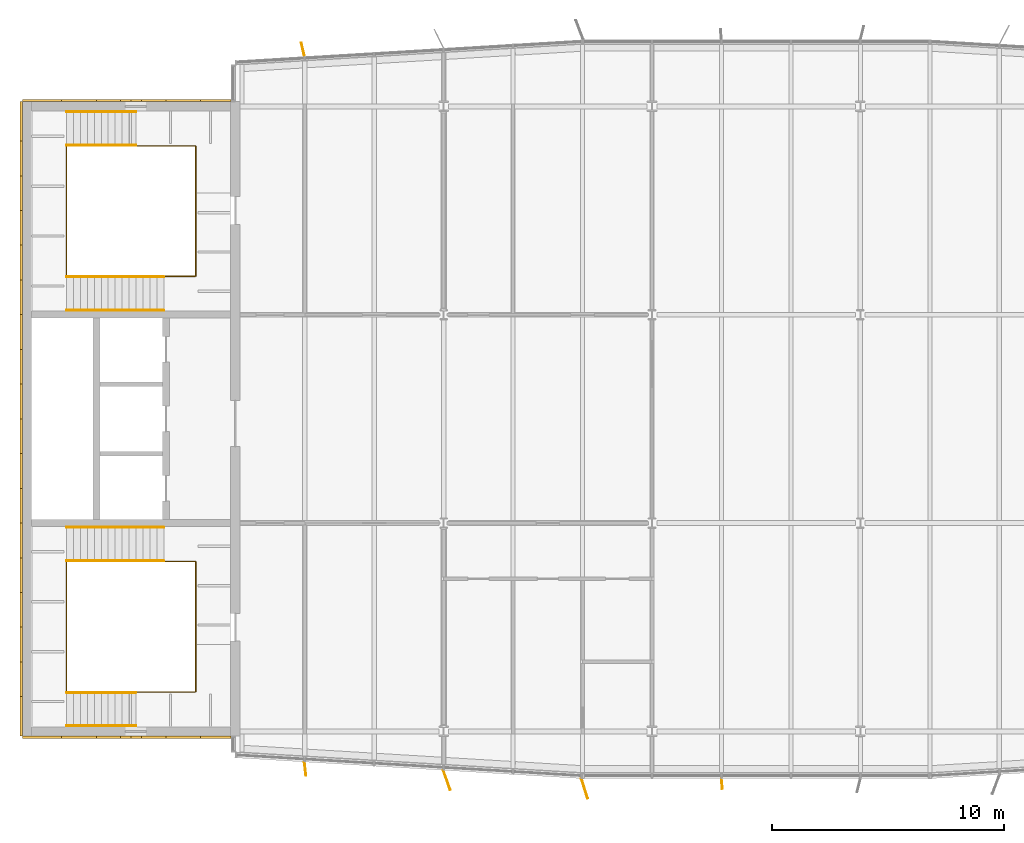
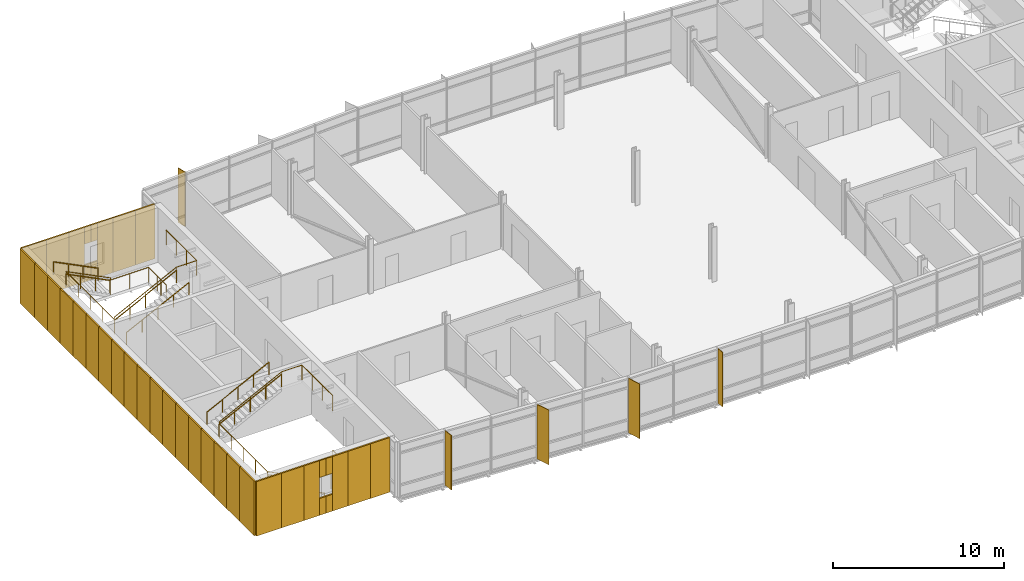
# One storey, part 18 of 20: 38 coverings, 10 railings, 5 shading devices.
"""IFC4 building model written with IfcOpenShell, lengths in metres."""

from ifc_helpers import new_model, si_unit, direction, frame, origin, origin_2d, place, context, subcontext, project, spatial, rectangle, circle, extrude, material, layer, layer_set, type_object, element, save


model = new_model("IFC4")

# Units and contexts
model_context = context("Model", 3, precision=1e-05, world=origin(), true_north=direction((0.0, 1.0)))
body_context = subcontext(model_context, "Body", "Model", "MODEL_VIEW")
ifc_project = project(units=[si_unit("LENGTHUNIT", "METRE"), si_unit("AREAUNIT", "SQUARE_METRE"), si_unit("VOLUMEUNIT", "CUBIC_METRE"), si_unit("PLANEANGLEUNIT", "RADIAN"), si_unit("MASSUNIT", "GRAM", prefix="KILO")], contexts=[model_context])

# Site, building, storey
site_placement = place(None, origin())
site = spatial("IfcSite", under=ifc_project, at=site_placement, CompositionType="ELEMENT")
building_placement = place(site_placement, origin())
building = spatial("IfcBuilding", under=site, at=building_placement, Name="Azimuth Sports and Learning Centre", CompositionType="ELEMENT")
storey_placement = place(building_placement, frame((0.0, 0.0, 44.10009765625)))
storey = spatial("IfcBuildingStorey", under=building, at=storey_placement, Name="L09", CompositionType="ELEMENT", Elevation=44.10009765625)

# Coverings
ifc_material_1 = material(Name="Cladding panel")
ifc_layer_1 = layer(ifc_material_1, 0.10009765625)
ifc_layer_set_1 = layer_set([ifc_layer_1], Name="Cladding panel")
covering_type = type_object("IfcCoveringType", Name="Cladding panel 100", PredefinedType="CLADDING", material=ifc_layer_set_1)
covering_1_placement = place(storey_placement, frame((54.64990234375, 89.75, 0.0), z_axis=(0.0, 0.0, 1.0), x_axis=(1.0, 0.0, 0.0)))
element("IfcCovering", 1, at=covering_1_placement, inside=storey, type_object=covering_type, Name="Cladding panel S-CORE W L09 1", PredefinedType="CLADDING", context=body_context, shape_type="SweptSolid", body=[
    extrude(rectangle(XDim=1.699951171875, YDim=0.10009765625, at=origin_2d()), origin(), (0.0, 0.0, 1.0), 3.89990234375),
])
covering_2_placement = place(storey_placement, frame((56.25, 89.75, 0.0), z_axis=(0.0, 0.0, 1.0), x_axis=(1.0, 0.0, 0.0)))
element("IfcCovering", 2, at=covering_2_placement, inside=storey, type_object=covering_type, Name="Cladding panel S-CORE W L09 2", PredefinedType="CLADDING", context=body_context, shape_type="SweptSolid", body=[
    extrude(rectangle(XDim=1.5, YDim=0.10009765625, at=origin_2d()), origin(), (0.0, 0.0, 1.0), 3.89990234375),
])
covering_3_placement = place(storey_placement, frame((57.52490234375, 89.75, 0.0), z_axis=(0.0, 0.0, 1.0), x_axis=(1.0, 0.0, 0.0)))
element("IfcCovering", 3, at=covering_3_placement, inside=storey, type_object=covering_type, Name="Cladding panel S-CORE W L09 3", PredefinedType="CLADDING", context=body_context, shape_type="SweptSolid", body=[
    extrude(rectangle(XDim=1.050048828125, YDim=0.10009765625, at=origin_2d()), origin(), (0.0, 0.0, 1.0), 3.89990234375),
])
for number, where, z_axis, x_axis, name in (
    (4, (58.27490234375, 89.75, 0.0), (0.0, 0.0, 1.0), (1.0, 0.0, 0.0), "Cladding panel S-CORE W L09 4"),
    (5, (58.27490234375, 89.75, 2.69970703125), (0.0, 0.0, 1.0), (1.0, 0.0, 0.0), "Cladding panel S-CORE W L09 5"),
):
    element("IfcCovering", number, at=place(storey_placement, frame(where, z_axis=z_axis, x_axis=x_axis)), inside=storey, type_object=covering_type, Name=name, PredefinedType="CLADDING", context=body_context, shape_type="SweptSolid", body=[
        extrude(rectangle(XDim=0.449951171875, YDim=0.10009765625, at=origin_2d()), origin(), (0.0, 0.0, 1.0), 1.199951171875),
    ])
covering_4_placement = place(storey_placement, frame((59.47509765625, 89.75, 0.0), z_axis=(0.0, 0.0, 1.0), x_axis=(1.0, 0.0, 0.0)))
element("IfcCovering", 6, at=covering_4_placement, inside=storey, type_object=covering_type, Name="Cladding panel S-CORE W L09 6", PredefinedType="CLADDING", context=body_context, shape_type="SweptSolid", body=[
    extrude(rectangle(XDim=1.050048828125, YDim=0.10009765625, at=origin_2d()), origin(), (0.0, 0.0, 1.0), 3.89990234375),
])
for number, where, z_axis, x_axis, name in (
    (7, (58.72509765625, 89.75, 0.0), (0.0, 0.0, 1.0), (1.0, 0.0, 0.0), "Cladding panel S-CORE W L09 7"),
    (8, (58.72509765625, 89.75, 2.69970703125), (0.0, 0.0, 1.0), (1.0, 0.0, 0.0), "Cladding panel S-CORE W L09 8"),
):
    element("IfcCovering", number, at=place(storey_placement, frame(where, z_axis=z_axis, x_axis=x_axis)), inside=storey, type_object=covering_type, Name=name, PredefinedType="CLADDING", context=body_context, shape_type="SweptSolid", body=[
        extrude(rectangle(XDim=0.449951171875, YDim=0.10009765625, at=origin_2d()), origin(), (0.0, 0.0, 1.0), 1.199951171875),
    ])
covering_5_placement = place(storey_placement, frame((60.75, 89.75, 0.0), z_axis=(0.0, 0.0, 1.0), x_axis=(1.0, 0.0, 0.0)))
element("IfcCovering", 9, at=covering_5_placement, inside=storey, type_object=covering_type, Name="Cladding panel S-CORE W L09 9", PredefinedType="CLADDING", context=body_context, shape_type="SweptSolid", body=[
    extrude(rectangle(XDim=1.5, YDim=0.10009765625, at=origin_2d()), origin(), (0.0, 0.0, 1.0), 3.89990234375),
])
for number, where, z_axis, x_axis, name in (
    (10, (62.159912109375, 89.75, 0.0), (0.0, 0.0, 1.0), (1.0, 0.0, 0.0), "Cladding panel S-CORE W L09 10"),
    (11, (62.159912109375, 117.25, 0.0), (0.0, 0.0, 1.0), (-1.0, 0.0, 0.0), "Cladding panel N-CORE W L09 1"),
):
    element("IfcCovering", number, at=place(storey_placement, frame(where, z_axis=z_axis, x_axis=x_axis)), inside=storey, type_object=covering_type, Name=name, PredefinedType="CLADDING", context=body_context, shape_type="SweptSolid", body=[
        extrude(rectangle(XDim=1.320068359375, YDim=0.10009765625, at=origin_2d()), origin(), (0.0, 0.0, 1.0), 3.89990234375),
    ])
covering_6_placement = place(storey_placement, frame((60.75, 117.25, 0.0), z_axis=(0.0, 0.0, 1.0), x_axis=(-1.0, 0.0, 0.0)))
element("IfcCovering", 12, at=covering_6_placement, inside=storey, type_object=covering_type, Name="Cladding panel N-CORE W L09 2", PredefinedType="CLADDING", context=body_context, shape_type="SweptSolid", body=[
    extrude(rectangle(XDim=1.5, YDim=0.10009765625, at=origin_2d()), origin(), (0.0, 0.0, 1.0), 3.89990234375),
])
covering_7_placement = place(storey_placement, frame((59.47509765625, 117.25, 0.0), z_axis=(0.0, 0.0, 1.0), x_axis=(-1.0, 0.0, 0.0)))
element("IfcCovering", 13, at=covering_7_placement, inside=storey, type_object=covering_type, Name="Cladding panel N-CORE W L09 3", PredefinedType="CLADDING", context=body_context, shape_type="SweptSolid", body=[
    extrude(rectangle(XDim=1.050048828125, YDim=0.10009765625, at=origin_2d()), origin(), (0.0, 0.0, 1.0), 3.89990234375),
])
for number, where, z_axis, x_axis, name in (
    (14, (58.72509765625, 117.25, 0.0), (0.0, 0.0, 1.0), (-1.0, 0.0, 0.0), "Cladding panel N-CORE W L09 4"),
    (15, (58.72509765625, 117.25, 2.69970703125), (0.0, 0.0, 1.0), (-1.0, 0.0, 0.0), "Cladding panel N-CORE W L09 5"),
):
    element("IfcCovering", number, at=place(storey_placement, frame(where, z_axis=z_axis, x_axis=x_axis)), inside=storey, type_object=covering_type, Name=name, PredefinedType="CLADDING", context=body_context, shape_type="SweptSolid", body=[
        extrude(rectangle(XDim=0.449951171875, YDim=0.10009765625, at=origin_2d()), origin(), (0.0, 0.0, 1.0), 1.199951171875),
    ])
covering_8_placement = place(storey_placement, frame((57.52490234375, 117.25, 0.0), z_axis=(0.0, 0.0, 1.0), x_axis=(-1.0, 0.0, 0.0)))
element("IfcCovering", 16, at=covering_8_placement, inside=storey, type_object=covering_type, Name="Cladding panel N-CORE W L09 6", PredefinedType="CLADDING", context=body_context, shape_type="SweptSolid", body=[
    extrude(rectangle(XDim=1.050048828125, YDim=0.10009765625, at=origin_2d()), origin(), (0.0, 0.0, 1.0), 3.89990234375),
])
for number, where, z_axis, x_axis, name in (
    (17, (58.27490234375, 117.25, 0.0), (0.0, 0.0, 1.0), (-1.0, 0.0, 0.0), "Cladding panel N-CORE W L09 7"),
    (18, (58.27490234375, 117.25, 2.69970703125), (0.0, 0.0, 1.0), (-1.0, 0.0, 0.0), "Cladding panel N-CORE W L09 8"),
):
    element("IfcCovering", number, at=place(storey_placement, frame(where, z_axis=z_axis, x_axis=x_axis)), inside=storey, type_object=covering_type, Name=name, PredefinedType="CLADDING", context=body_context, shape_type="SweptSolid", body=[
        extrude(rectangle(XDim=0.449951171875, YDim=0.10009765625, at=origin_2d()), origin(), (0.0, 0.0, 1.0), 1.199951171875),
    ])
covering_9_placement = place(storey_placement, frame((56.25, 117.25, 0.0), z_axis=(0.0, 0.0, 1.0), x_axis=(-1.0, 0.0, 0.0)))
element("IfcCovering", 19, at=covering_9_placement, inside=storey, type_object=covering_type, Name="Cladding panel N-CORE W L09 9", PredefinedType="CLADDING", context=body_context, shape_type="SweptSolid", body=[
    extrude(rectangle(XDim=1.5, YDim=0.10009765625, at=origin_2d()), origin(), (0.0, 0.0, 1.0), 3.89990234375),
])
for number, where, z_axis, x_axis, name in (
    (20, (54.64990234375, 117.25, 0.0), (0.0, 0.0, 1.0), (-1.0, 0.0, 0.0), "Cladding panel N-CORE W L09 10"),
    (21, (53.75, 116.35009765625, 0.0), (0.0, 0.0, 1.0), (0.0, -1.0, 0.0), "Cladding panel W-CORE W L09 1"),
):
    element("IfcCovering", number, at=place(storey_placement, frame(where, z_axis=z_axis, x_axis=x_axis)), inside=storey, type_object=covering_type, Name=name, PredefinedType="CLADDING", context=body_context, shape_type="SweptSolid", body=[
        extrude(rectangle(XDim=1.699951171875, YDim=0.10009765625, at=origin_2d()), origin(), (0.0, 0.0, 1.0), 3.89990234375),
    ])
for number, where, z_axis, x_axis, name in (
    (22, (53.75, 114.75, 0.0), (0.0, 0.0, 1.0), (0.0, -1.0, 0.0), "Cladding panel W-CORE W L09 2"),
    (23, (53.75, 113.25, 0.0), (0.0, 0.0, 1.0), (0.0, -1.0, 0.0), "Cladding panel W-CORE W L09 3"),
    (24, (53.75, 111.75, 0.0), (0.0, 0.0, 1.0), (0.0, -1.0, 0.0), "Cladding panel W-CORE W L09 4"),
    (25, (53.75, 110.25, 0.0), (0.0, 0.0, 1.0), (0.0, -1.0, 0.0), "Cladding panel W-CORE W L09 5"),
    (26, (53.75, 108.75, 0.0), (0.0, 0.0, 1.0), (0.0, -1.0, 0.0), "Cladding panel W-CORE W L09 6"),
    (27, (53.75, 107.25, 0.0), (0.0, 0.0, 1.0), (0.0, -1.0, 0.0), "Cladding panel W-CORE W L09 7"),
    (28, (53.75, 105.75, 0.0), (0.0, 0.0, 1.0), (0.0, -1.0, 0.0), "Cladding panel W-CORE W L09 8"),
    (29, (53.75, 104.25, 0.0), (0.0, 0.0, 1.0), (0.0, -1.0, 0.0), "Cladding panel W-CORE W L09 9"),
    (30, (53.75, 102.75, 0.0), (0.0, 0.0, 1.0), (0.0, -1.0, 0.0), "Cladding panel W-CORE W L09 10"),
    (31, (53.75, 101.25, 0.0), (0.0, 0.0, 1.0), (0.0, -1.0, 0.0), "Cladding panel W-CORE W L09 11"),
    (32, (53.75, 99.75, 0.0), (0.0, 0.0, 1.0), (0.0, -1.0, 0.0), "Cladding panel W-CORE W L09 12"),
    (33, (53.75, 98.25, 0.0), (0.0, 0.0, 1.0), (0.0, -1.0, 0.0), "Cladding panel W-CORE W L09 13"),
    (34, (53.75, 96.75, 0.0), (0.0, 0.0, 1.0), (0.0, -1.0, 0.0), "Cladding panel W-CORE W L09 14"),
    (35, (53.75, 95.25, 0.0), (0.0, 0.0, 1.0), (0.0, -1.0, 0.0), "Cladding panel W-CORE W L09 15"),
    (36, (53.75, 93.75, 0.0), (0.0, 0.0, 1.0), (0.0, -1.0, 0.0), "Cladding panel W-CORE W L09 16"),
    (37, (53.75, 92.25, 0.0), (0.0, 0.0, 1.0), (0.0, -1.0, 0.0), "Cladding panel W-CORE W L09 17"),
):
    element("IfcCovering", number, at=place(storey_placement, frame(where, z_axis=z_axis, x_axis=x_axis)), inside=storey, type_object=covering_type, Name=name, PredefinedType="CLADDING", context=body_context, shape_type="SweptSolid", body=[
        extrude(rectangle(XDim=1.5, YDim=0.10009765625, at=origin_2d()), origin(), (0.0, 0.0, 1.0), 3.89990234375),
    ])
covering_10_placement = place(storey_placement, frame((53.75, 90.64990234375, 0.0), z_axis=(0.0, 0.0, 1.0), x_axis=(0.0, -1.0, 0.0)))
element("IfcCovering", 38, at=covering_10_placement, inside=storey, type_object=covering_type, Name="Cladding panel W-CORE W L09 18", PredefinedType="CLADDING", context=body_context, shape_type="SweptSolid", body=[
    extrude(rectangle(XDim=1.699951171875, YDim=0.10009765625, at=origin_2d()), origin(), (0.0, 0.0, 1.0), 3.89990234375),
])

# Shading devices
ifc_material_2 = material(Name="Aluminium", Category="aluminium")
ifc_layer_2 = layer(ifc_material_2, 0.0400390625)
ifc_layer_set_2 = layer_set([ifc_layer_2], Name="Aluminium")
shading_device_type_1 = type_object("IfcShadingDeviceType", Name="Shading fin 450", PredefinedType="JALOUSIE", material=ifc_layer_set_2)
shading_device_placement = place(storey_placement, frame((84.01953125, 87.73583984375, 0.0), z_axis=(0.0, 0.0, 1.0), x_axis=(0.086979796274, -0.996210075757, 0.0)))
element("IfcShadingDevice", 39, at=shading_device_placement, inside=storey, type_object=shading_device_type_1, Name="Shading fin F09-004", PredefinedType="JALOUSIE", context=body_context, shape_type="SweptSolid", body=[
    extrude(rectangle(XDim=0.449951171875, YDim=0.0400390625, at=origin_2d()), origin(), (0.0, 0.0, 1.0), 3.89990234375),
])
ifc_material_3 = material(Name="Aluminium", Category="aluminium")
ifc_layer_3 = layer(ifc_material_3, 0.0400390625)
ifc_layer_set_3 = layer_set([ifc_layer_3], Name="Aluminium")
shading_device_type_2 = type_object("IfcShadingDeviceType", Name="Shading fin 600", PredefinedType="JALOUSIE", material=ifc_layer_set_3)
for number, where, z_axis, x_axis, name in (
    (40, (66.018798828125, 88.38232421875, 0.0), (0.0, 0.0, 1.0), (0.110221187796, -0.993907083062, 0.0), "Shading fin F09-001"),
    (41, (65.920654296875, 119.45166015625, 0.0), (0.0, 0.0, 1.0), (-0.228270881104, 0.973597660659, 0.0), "Shading fin F09-014"),
):
    element("IfcShadingDevice", number, at=place(storey_placement, frame(where, z_axis=z_axis, x_axis=x_axis)), inside=storey, type_object=shading_device_type_2, Name=name, PredefinedType="JALOUSIE", context=body_context, shape_type="SweptSolid", body=[
        extrude(rectangle(XDim=0.60009765625, YDim=0.0400390625, at=origin_2d()), origin(), (0.0, 0.0, 1.0), 3.89990234375),
    ])
ifc_material_4 = material(Name="Aluminium", Category="aluminium")
ifc_layer_4 = layer(ifc_material_4, 0.0400390625)
ifc_layer_set_4 = layer_set([ifc_layer_4], Name="Aluminium")
shading_device_type_3 = type_object("IfcShadingDeviceType", Name="Shading fin 900", PredefinedType="JALOUSIE", material=ifc_layer_set_4)
for number, where, z_axis, x_axis, name in (
    (42, (72.135009765625, 87.89599609375, 0.0), (0.0, 0.0, 1.0), (0.332025201964, -0.94327051542, 0.0), "Shading fin F09-002"),
    (43, (78.0849609375, 87.532958984375, 0.0), (0.0, 0.0, 1.0), (0.298224547315, -0.954495740891, 0.0), "Shading fin F09-003"),
):
    element("IfcShadingDevice", number, at=place(storey_placement, frame(where, z_axis=z_axis, x_axis=x_axis)), inside=storey, type_object=shading_device_type_3, Name=name, PredefinedType="JALOUSIE", context=body_context, shape_type="SweptSolid", body=[
        extrude(rectangle(XDim=0.89990234375, YDim=0.0400390625, at=origin_2d()), origin(), (0.0, 0.0, 1.0), 3.89990234375),
    ])

# Railings
ifc_material_5 = material(Name="Stainless steel", Category="steel")
railing_type_1 = type_object("IfcRailingType", Name="Stair guard 1100", PredefinedType="GUARDRAIL", material=ifc_material_5)
railing_1_placement = place(storey_placement, frame((61.2900390625, 93.75, 0.0)))
element("IfcRailing", 44, at=railing_1_placement, inside=storey, type_object=railing_type_1, Name="Guard W1 L09 well", PredefinedType="GUARDRAIL", context=body_context, shape_type="SweptSolid", body=[
    extrude(circle(Radius=0.02392578125, at=origin_2d()), frame((0.0, 0.0, 1.076171875), z_axis=(0.0, -1.0, 0.0), x_axis=(1.0, 0.0, 0.0)), (0.0, 0.0, 1.0), 2.0400390625),
    extrude(circle(Radius=0.02392578125, at=origin_2d()), frame((0.0, -2.0400390625, 1.076171875), z_axis=(-1.0, 0.0, 0.0), x_axis=(0.0, -1.0, 0.0)), (0.0, 0.0, 1.0), 2.580078125),
    extrude(circle(Radius=0.02392578125, at=origin_2d()), frame((-2.580078125, -2.0400390625, 1.076171875), z_axis=(0.0, 0.0, 1.0), x_axis=(1.0, 0.0, 0.0)), (0.0, 0.0, 1.0), 0.14990234375),
    extrude(circle(Radius=0.02392578125, at=origin_2d()), frame((-2.580078125, -2.0400390625, 1.22607421875), z_axis=(-0.894427191, 0.0, 0.4472135955), x_axis=(0.0, -1.0, 0.0)), (0.0, 0.0, 1.0), 3.35400390625),
    extrude(circle(Radius=0.02392578125, at=origin_2d()), frame((-5.580078125, -2.0400390625, 2.72607421875), z_axis=(0.0, 1.0, 0.0), x_axis=(-1.0, 0.0, 0.0)), (0.0, 0.0, 1.0), 5.630126953125),
    extrude(circle(Radius=0.02392578125, at=origin_2d()), frame((-5.580078125, 3.590087890625, 2.72607421875), z_axis=(0.0, 0.0, 1.0), x_axis=(1.0, 0.0, 0.0)), (0.0, 0.0, 1.0), 0.14990234375),
    extrude(circle(Radius=0.02392578125, at=origin_2d()), frame((-5.580078125, 3.590087890625, 2.8759765625), z_axis=(0.894416792377, 0.0, 0.447234392142), x_axis=(0.0, 1.0, 0.0)), (0.0, 0.0, 1.0), 4.69580078125),
    extrude(circle(Radius=0.02392578125, at=origin_2d()), frame((-1.380126953125, 3.590087890625, 4.97607421875), z_axis=(1.0, 0.0, 0.0), x_axis=(0.0, 1.0, 0.0)), (0.0, 0.0, 1.0), 1.380126953125),
    extrude(circle(Radius=0.02392578125, at=origin_2d()), frame((0.0, 3.590087890625, 4.97607421875), z_axis=(0.0, -1.0, 0.0), x_axis=(1.0, 0.0, 0.0)), (0.0, 0.0, 1.0), 3.590087890625),
    extrude(circle(Radius=0.01611328125, at=origin_2d()), origin(), (0.0, 0.0, 1.0), 1.052001953125),
    extrude(circle(Radius=0.01611328125, at=origin_2d()), frame((0.0, -1.02001953125, 0.0)), (0.0, 0.0, 1.0), 1.052001953125),
    extrude(circle(Radius=0.01611328125, at=origin_2d()), frame((0.0, -2.0400390625, 0.0)), (0.0, 0.0, 1.0), 1.052001953125),
    extrude(circle(Radius=0.01611328125, at=origin_2d()), frame((-1.2900390625, -2.0400390625, 0.0)), (0.0, 0.0, 1.0), 1.052001953125),
    extrude(circle(Radius=0.01611328125, at=origin_2d()), frame((-2.580078125, -2.0400390625, 0.0)), (0.0, 0.0, 1.0), 1.052001953125),
    extrude(circle(Radius=0.01611328125, at=origin_2d()), frame((-2.580078125, -2.0400390625, 0.14990234375)), (0.0, 0.0, 1.0), 1.052001953125),
    extrude(circle(Radius=0.01611328125, at=origin_2d()), frame((-3.580078125, -2.0400390625, 0.64990234375)), (0.0, 0.0, 1.0), 1.052001953125),
    extrude(circle(Radius=0.01611328125, at=origin_2d()), frame((-4.580078125, -2.0400390625, 1.14990234375)), (0.0, 0.0, 1.0), 1.052001953125),
    extrude(circle(Radius=0.01611328125, at=origin_2d()), frame((-5.580078125, -2.0400390625, 1.64990234375)), (0.0, 0.0, 1.0), 1.052001953125),
    extrude(circle(Radius=0.01611328125, at=origin_2d()), frame((-5.580078125, -0.632568359375, 1.64990234375)), (0.0, 0.0, 1.0), 1.052001953125),
    extrude(circle(Radius=0.01611328125, at=origin_2d()), frame((-5.580078125, 0.77490234375, 1.64990234375)), (0.0, 0.0, 1.0), 1.052001953125),
    extrude(circle(Radius=0.01611328125, at=origin_2d()), frame((-5.580078125, 2.1826171875, 1.64990234375)), (0.0, 0.0, 1.0), 1.052001953125),
    extrude(circle(Radius=0.01611328125, at=origin_2d()), frame((-5.580078125, 3.590087890625, 1.64990234375)), (0.0, 0.0, 1.0), 1.052001953125),
    extrude(circle(Radius=0.01611328125, at=origin_2d()), frame((-5.580078125, 3.590087890625, 1.7998046875)), (0.0, 0.0, 1.0), 1.052001953125),
    extrude(circle(Radius=0.01611328125, at=origin_2d()), frame((-4.530029296875, 3.590087890625, 2.32470703125)), (0.0, 0.0, 1.0), 1.052001953125),
    extrude(circle(Radius=0.01611328125, at=origin_2d()), frame((-3.47998046875, 3.590087890625, 2.849853515625)), (0.0, 0.0, 1.0), 1.052001953125),
    extrude(circle(Radius=0.01611328125, at=origin_2d()), frame((-2.43017578125, 3.590087890625, 3.375)), (0.0, 0.0, 1.0), 1.052001953125),
    extrude(circle(Radius=0.01611328125, at=origin_2d()), frame((-1.380126953125, 3.590087890625, 3.89990234375)), (0.0, 0.0, 1.0), 1.052001953125),
    extrude(circle(Radius=0.01611328125, at=origin_2d()), frame((0.0, 3.590087890625, 3.89990234375)), (0.0, 0.0, 1.0), 1.052001953125),
    extrude(circle(Radius=0.01611328125, at=origin_2d()), frame((0.0, 2.393310546875, 3.89990234375)), (0.0, 0.0, 1.0), 1.052001953125),
    extrude(circle(Radius=0.01611328125, at=origin_2d()), frame((0.0, 1.19677734375, 3.89990234375)), (0.0, 0.0, 1.0), 1.052001953125),
    extrude(circle(Radius=0.01611328125, at=origin_2d()), frame((0.0, 0.0, 3.89990234375)), (0.0, 0.0, 1.0), 1.052001953125),
])
railing_2_placement = place(storey_placement, frame((61.2900390625, 113.25, 0.0)))
element("IfcRailing", 45, at=railing_2_placement, inside=storey, type_object=railing_type_1, Name="Guard W2 L09 well", PredefinedType="GUARDRAIL", context=body_context, shape_type="SweptSolid", body=[
    extrude(circle(Radius=0.02392578125, at=origin_2d()), frame((0.0, 0.0, 1.076171875), z_axis=(0.0, 1.0, 0.0), x_axis=(-1.0, 0.0, 0.0)), (0.0, 0.0, 1.0), 2.0400390625),
    extrude(circle(Radius=0.02392578125, at=origin_2d()), frame((0.0, 2.0400390625, 1.076171875), z_axis=(-1.0, 0.0, 0.0), x_axis=(0.0, -1.0, 0.0)), (0.0, 0.0, 1.0), 2.580078125),
    extrude(circle(Radius=0.02392578125, at=origin_2d()), frame((-2.580078125, 2.0400390625, 1.076171875), z_axis=(0.0, 0.0, 1.0), x_axis=(1.0, 0.0, 0.0)), (0.0, 0.0, 1.0), 0.14990234375),
    extrude(circle(Radius=0.02392578125, at=origin_2d()), frame((-2.580078125, 2.0400390625, 1.22607421875), z_axis=(-0.894427191, 0.0, 0.4472135955), x_axis=(0.0, -1.0, 0.0)), (0.0, 0.0, 1.0), 3.35400390625),
    extrude(circle(Radius=0.02392578125, at=origin_2d()), frame((-5.580078125, 2.0400390625, 2.72607421875), z_axis=(0.0, -1.0, 0.0), x_axis=(1.0, 0.0, 0.0)), (0.0, 0.0, 1.0), 5.630126953125),
    extrude(circle(Radius=0.02392578125, at=origin_2d()), frame((-5.580078125, -3.590087890625, 2.72607421875), z_axis=(0.0, 0.0, 1.0), x_axis=(1.0, 0.0, 0.0)), (0.0, 0.0, 1.0), 0.14990234375),
    extrude(circle(Radius=0.02392578125, at=origin_2d()), frame((-5.580078125, -3.590087890625, 2.8759765625), z_axis=(0.894416792377, 0.0, 0.447234392142), x_axis=(0.0, 1.0, 0.0)), (0.0, 0.0, 1.0), 4.69580078125),
    extrude(circle(Radius=0.02392578125, at=origin_2d()), frame((-1.380126953125, -3.590087890625, 4.97607421875), z_axis=(1.0, 0.0, 0.0), x_axis=(0.0, 1.0, 0.0)), (0.0, 0.0, 1.0), 1.380126953125),
    extrude(circle(Radius=0.02392578125, at=origin_2d()), frame((0.0, -3.590087890625, 4.97607421875), z_axis=(0.0, 1.0, 0.0), x_axis=(-1.0, 0.0, 0.0)), (0.0, 0.0, 1.0), 3.590087890625),
    extrude(circle(Radius=0.01611328125, at=origin_2d()), origin(), (0.0, 0.0, 1.0), 1.052001953125),
    extrude(circle(Radius=0.01611328125, at=origin_2d()), frame((0.0, 1.02001953125, 0.0)), (0.0, 0.0, 1.0), 1.052001953125),
    extrude(circle(Radius=0.01611328125, at=origin_2d()), frame((0.0, 2.0400390625, 0.0)), (0.0, 0.0, 1.0), 1.052001953125),
    extrude(circle(Radius=0.01611328125, at=origin_2d()), frame((-1.2900390625, 2.0400390625, 0.0)), (0.0, 0.0, 1.0), 1.052001953125),
    extrude(circle(Radius=0.01611328125, at=origin_2d()), frame((-2.580078125, 2.0400390625, 0.0)), (0.0, 0.0, 1.0), 1.052001953125),
    extrude(circle(Radius=0.01611328125, at=origin_2d()), frame((-2.580078125, 2.0400390625, 0.14990234375)), (0.0, 0.0, 1.0), 1.052001953125),
    extrude(circle(Radius=0.01611328125, at=origin_2d()), frame((-3.580078125, 2.0400390625, 0.64990234375)), (0.0, 0.0, 1.0), 1.052001953125),
    extrude(circle(Radius=0.01611328125, at=origin_2d()), frame((-4.580078125, 2.0400390625, 1.14990234375)), (0.0, 0.0, 1.0), 1.052001953125),
    extrude(circle(Radius=0.01611328125, at=origin_2d()), frame((-5.580078125, 2.0400390625, 1.64990234375)), (0.0, 0.0, 1.0), 1.052001953125),
    extrude(circle(Radius=0.01611328125, at=origin_2d()), frame((-5.580078125, 0.632568359375, 1.64990234375)), (0.0, 0.0, 1.0), 1.052001953125),
    extrude(circle(Radius=0.01611328125, at=origin_2d()), frame((-5.580078125, -0.77490234375, 1.64990234375)), (0.0, 0.0, 1.0), 1.052001953125),
    extrude(circle(Radius=0.01611328125, at=origin_2d()), frame((-5.580078125, -2.1826171875, 1.64990234375)), (0.0, 0.0, 1.0), 1.052001953125),
    extrude(circle(Radius=0.01611328125, at=origin_2d()), frame((-5.580078125, -3.590087890625, 1.64990234375)), (0.0, 0.0, 1.0), 1.052001953125),
    extrude(circle(Radius=0.01611328125, at=origin_2d()), frame((-5.580078125, -3.590087890625, 1.7998046875)), (0.0, 0.0, 1.0), 1.052001953125),
    extrude(circle(Radius=0.01611328125, at=origin_2d()), frame((-4.530029296875, -3.590087890625, 2.32470703125)), (0.0, 0.0, 1.0), 1.052001953125),
    extrude(circle(Radius=0.01611328125, at=origin_2d()), frame((-3.47998046875, -3.590087890625, 2.849853515625)), (0.0, 0.0, 1.0), 1.052001953125),
    extrude(circle(Radius=0.01611328125, at=origin_2d()), frame((-2.43017578125, -3.590087890625, 3.375)), (0.0, 0.0, 1.0), 1.052001953125),
    extrude(circle(Radius=0.01611328125, at=origin_2d()), frame((-1.380126953125, -3.590087890625, 3.89990234375)), (0.0, 0.0, 1.0), 1.052001953125),
    extrude(circle(Radius=0.01611328125, at=origin_2d()), frame((0.0, -3.590087890625, 3.89990234375)), (0.0, 0.0, 1.0), 1.052001953125),
    extrude(circle(Radius=0.01611328125, at=origin_2d()), frame((0.0, -2.393310546875, 3.89990234375)), (0.0, 0.0, 1.0), 1.052001953125),
    extrude(circle(Radius=0.01611328125, at=origin_2d()), frame((0.0, -1.19677734375, 3.89990234375)), (0.0, 0.0, 1.0), 1.052001953125),
    extrude(circle(Radius=0.01611328125, at=origin_2d()), frame((0.0, 0.0, 3.89990234375)), (0.0, 0.0, 1.0), 1.052001953125),
])
ifc_material_6 = material(Name="Stainless steel", Category="steel")
railing_type_2 = type_object("IfcRailingType", Name="Stair handrail 42", PredefinedType="HANDRAIL", material=ifc_material_6)
for number, where, name in (
    (46, (58.7099609375, 91.679931640625, 0.14990234375), "Handrail W1 L09 flight 1 inner"),
    (47, (58.7099609375, 90.239990234375, 0.14990234375), "Handrail W1 L09 flight 1 outer"),
):
    element("IfcRailing", number, at=place(storey_placement, frame(where)), inside=storey, type_object=railing_type_2, Name=name, PredefinedType="HANDRAIL", context=body_context, shape_type="SweptSolid", body=[
        extrude(circle(Radius=0.02099609375, at=origin_2d()), frame((0.0, 0.0, 0.87890625), z_axis=(-0.894427191, 0.0, 0.4472135955), x_axis=(0.0, -1.0, 0.0)), (0.0, 0.0, 1.0), 3.35400390625),
        extrude(circle(Radius=0.01611328125, at=origin_2d()), origin(), (0.0, 0.0, 1.0), 0.85791015625),
        extrude(circle(Radius=0.01611328125, at=origin_2d()), frame((-1.0, 0.0, 0.5)), (0.0, 0.0, 1.0), 0.85791015625),
        extrude(circle(Radius=0.01611328125, at=origin_2d()), frame((-2.0, 0.0, 1.0)), (0.0, 0.0, 1.0), 0.85791015625),
        extrude(circle(Radius=0.01611328125, at=origin_2d()), frame((-3.0, 0.0, 1.5)), (0.0, 0.0, 1.0), 0.85791015625),
    ])
for number, where, name in (
    (48, (55.7099609375, 97.3701171875, 1.7998046875), "Handrail W1 L09 flight 2 inner"),
    (49, (55.7099609375, 98.81005859375, 1.7998046875), "Handrail W1 L09 flight 2 outer"),
):
    element("IfcRailing", number, at=place(storey_placement, frame(where)), inside=storey, type_object=railing_type_2, Name=name, PredefinedType="HANDRAIL", context=body_context, shape_type="SweptSolid", body=[
        extrude(circle(Radius=0.02099609375, at=origin_2d()), frame((0.0, 0.0, 0.87890625), z_axis=(0.894416792377, 0.0, 0.447234392142), x_axis=(0.0, 1.0, 0.0)), (0.0, 0.0, 1.0), 4.69580078125),
        extrude(circle(Radius=0.01611328125, at=origin_2d()), origin(), (0.0, 0.0, 1.0), 0.85791015625),
        extrude(circle(Radius=0.01611328125, at=origin_2d()), frame((1.050048828125, 0.0, 0.52490234375)), (0.0, 0.0, 1.0), 0.85791015625),
        extrude(circle(Radius=0.01611328125, at=origin_2d()), frame((2.10009765625, 0.0, 1.050048828125)), (0.0, 0.0, 1.0), 0.85791015625),
        extrude(circle(Radius=0.01611328125, at=origin_2d()), frame((3.14990234375, 0.0, 1.5751953125)), (0.0, 0.0, 1.0), 0.85791015625),
        extrude(circle(Radius=0.01611328125, at=origin_2d()), frame((4.199951171875, 0.0, 2.10009765625)), (0.0, 0.0, 1.0), 0.85791015625),
    ])
for number, where, name in (
    (50, (58.7099609375, 115.320068359375, 0.14990234375), "Handrail W2 L09 flight 1 inner"),
    (51, (58.7099609375, 116.760009765625, 0.14990234375), "Handrail W2 L09 flight 1 outer"),
):
    element("IfcRailing", number, at=place(storey_placement, frame(where)), inside=storey, type_object=railing_type_2, Name=name, PredefinedType="HANDRAIL", context=body_context, shape_type="SweptSolid", body=[
        extrude(circle(Radius=0.02099609375, at=origin_2d()), frame((0.0, 0.0, 0.87890625), z_axis=(-0.894427191, 0.0, 0.4472135955), x_axis=(0.0, -1.0, 0.0)), (0.0, 0.0, 1.0), 3.35400390625),
        extrude(circle(Radius=0.01611328125, at=origin_2d()), origin(), (0.0, 0.0, 1.0), 0.85791015625),
        extrude(circle(Radius=0.01611328125, at=origin_2d()), frame((-1.0, 0.0, 0.5)), (0.0, 0.0, 1.0), 0.85791015625),
        extrude(circle(Radius=0.01611328125, at=origin_2d()), frame((-2.0, 0.0, 1.0)), (0.0, 0.0, 1.0), 0.85791015625),
        extrude(circle(Radius=0.01611328125, at=origin_2d()), frame((-3.0, 0.0, 1.5)), (0.0, 0.0, 1.0), 0.85791015625),
    ])
for number, where, name in (
    (52, (55.7099609375, 109.6298828125, 1.7998046875), "Handrail W2 L09 flight 2 inner"),
    (53, (55.7099609375, 108.18994140625, 1.7998046875), "Handrail W2 L09 flight 2 outer"),
):
    element("IfcRailing", number, at=place(storey_placement, frame(where)), inside=storey, type_object=railing_type_2, Name=name, PredefinedType="HANDRAIL", context=body_context, shape_type="SweptSolid", body=[
        extrude(circle(Radius=0.02099609375, at=origin_2d()), frame((0.0, 0.0, 0.87890625), z_axis=(0.894416792377, 0.0, 0.447234392142), x_axis=(0.0, 1.0, 0.0)), (0.0, 0.0, 1.0), 4.69580078125),
        extrude(circle(Radius=0.01611328125, at=origin_2d()), origin(), (0.0, 0.0, 1.0), 0.85791015625),
        extrude(circle(Radius=0.01611328125, at=origin_2d()), frame((1.050048828125, 0.0, 0.52490234375)), (0.0, 0.0, 1.0), 0.85791015625),
        extrude(circle(Radius=0.01611328125, at=origin_2d()), frame((2.10009765625, 0.0, 1.050048828125)), (0.0, 0.0, 1.0), 0.85791015625),
        extrude(circle(Radius=0.01611328125, at=origin_2d()), frame((3.14990234375, 0.0, 1.5751953125)), (0.0, 0.0, 1.0), 0.85791015625),
        extrude(circle(Radius=0.01611328125, at=origin_2d()), frame((4.199951171875, 0.0, 2.10009765625)), (0.0, 0.0, 1.0), 0.85791015625),
    ])

save(model, "model.ifc")
